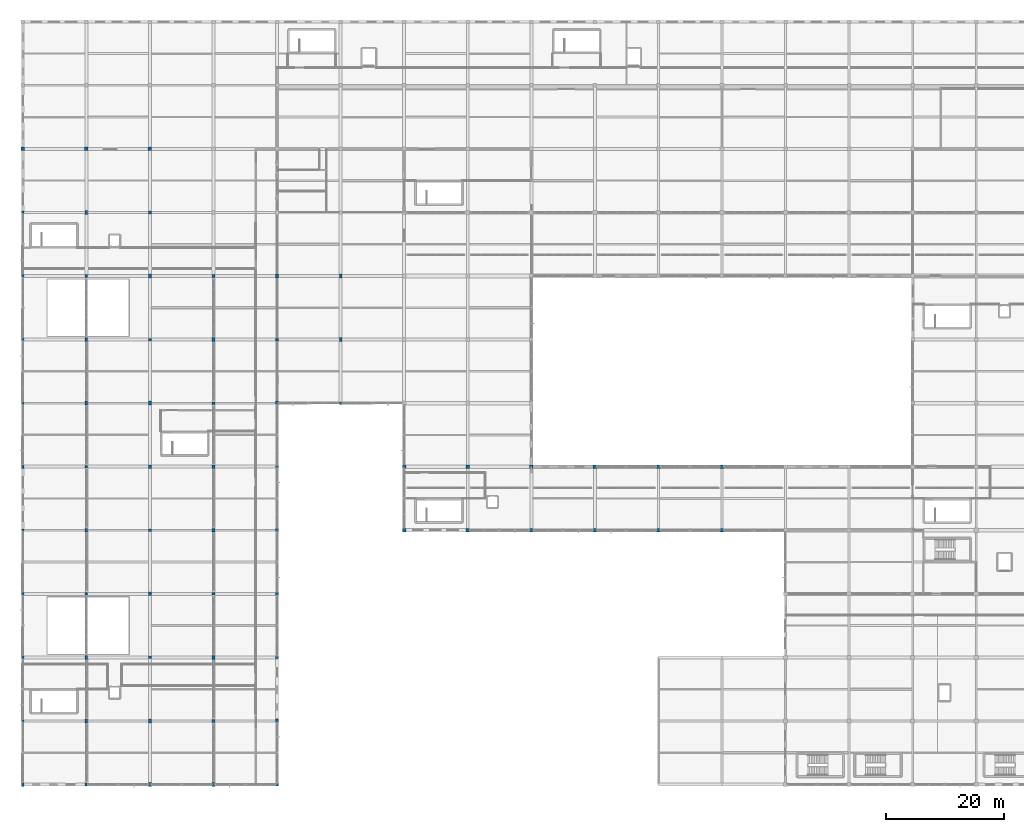
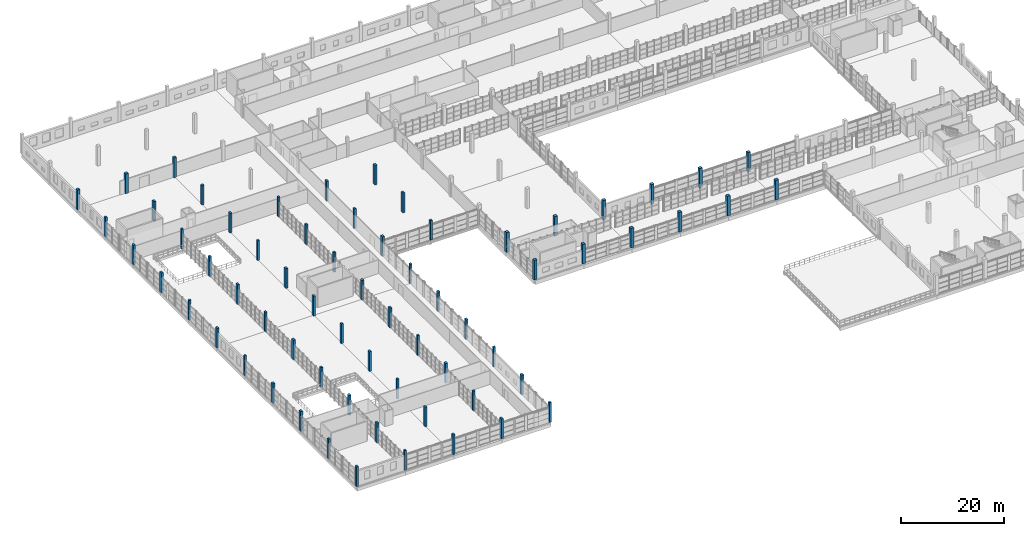
# One storey, part 1 of 142: 66 columns.
"""IFC4 building model written with IfcOpenShell, lengths in metres."""

from ifc_helpers import new_model, si_unit, direction, frame, origin, origin_2d, place, context, subcontext, project, spatial, rectangle, extrude, material, material_profile, profile_set, type_object, element, save


model = new_model("IFC4")

# Units and contexts
model_context = context("Model", 3, precision=1e-05, world=origin(), true_north=direction((0.0, 1.0)))
body_context = subcontext(model_context, "Body", "Model", "MODEL_VIEW")
ifc_project = project(units=[si_unit("LENGTHUNIT", "METRE"), si_unit("AREAUNIT", "SQUARE_METRE"), si_unit("VOLUMEUNIT", "CUBIC_METRE"), si_unit("PLANEANGLEUNIT", "RADIAN"), si_unit("MASSUNIT", "GRAM", prefix="KILO")], contexts=[model_context])

# Site, building, storey
site_placement = place(None, origin())
site = spatial("IfcSite", under=ifc_project, at=site_placement, CompositionType="ELEMENT")
building_placement = place(site_placement, origin())
building = spatial("IfcBuilding", under=site, at=building_placement, Name="Zwinboog Wholesale Market", CompositionType="ELEMENT")
storey_placement = place(building_placement, frame((0.0, 0.0, 5.39990234375)))
storey = spatial("IfcBuildingStorey", under=building, at=storey_placement, Name="L01", CompositionType="ELEMENT", Elevation=5.39990234375)

# Columns
ifc_material = material(Name="Precast concrete C45/55", Category="concrete")
ifc_material_profile_1 = material_profile(ifc_material, rectangle(XDim=0.64990234375, YDim=0.64990234375, at=origin_2d()), Name="PC 650x650")
ifc_profile_set_1 = profile_set([ifc_material_profile_1], Name="Precast concrete C45/55")
column_type_1 = type_object("IfcColumnType", Name="CT-03", PredefinedType="COLUMN", material=ifc_profile_set_1)
for number, where, z_axis, x_axis, name in (
    (1, (64.800048828125, 43.199951171875, 0.0), (0.0, 0.0, 1.0), (1.0, 0.0, 0.0), "C-03 (COL-L01-0150)"),
    (2, (64.800048828125, 54.0, 0.0), (0.0, 0.0, 1.0), (1.0, 0.0, 0.0), "C-03 (COL-L01-0152)"),
    (3, (75.60009765625, 43.199951171875, 0.0), (0.0, 0.0, 1.0), (1.0, 0.0, 0.0), "C-03 (COL-L01-0169)"),
    (4, (75.60009765625, 54.0, 0.0), (0.0, 0.0, 1.0), (1.0, 0.0, 0.0), "C-03 (COL-L01-0171)"),
    (5, (86.39990234375, 43.199951171875, 0.0), (0.0, 0.0, 1.0), (1.0, 0.0, 0.0), "C-03 (COL-L01-0188)"),
    (6, (86.39990234375, 54.0, 0.0), (0.0, 0.0, 1.0), (1.0, 0.0, 0.0), "C-03 (COL-L01-0190)"),
    (7, (97.199951171875, 43.199951171875, 0.0), (0.0, 0.0, 1.0), (1.0, 0.0, 0.0), "C-03 (COL-L01-0207)"),
    (8, (97.199951171875, 54.0, 0.0), (0.0, 0.0, 1.0), (1.0, 0.0, 0.0), "C-03 (COL-L01-0209)"),
    (9, (108.0, 43.199951171875, 0.0), (0.0, 0.0, 1.0), (1.0, 0.0, 0.0), "C-03 (COL-L01-0227)"),
    (10, (108.0, 54.0, 0.0), (0.0, 0.0, 1.0), (1.0, 0.0, 0.0), "C-03 (COL-L01-0229)"),
    (11, (118.800048828125, 43.199951171875, 0.0), (0.0, 0.0, 1.0), (1.0, 0.0, 0.0), "C-03 (COL-L01-0246)"),
    (12, (118.800048828125, 54.0, 0.0), (0.0, 0.0, 1.0), (1.0, 0.0, 0.0), "C-03 (COL-L01-0248)"),
):
    element("IfcColumn", number, at=place(storey_placement, frame(where, z_axis=z_axis, x_axis=x_axis)), inside=storey, type_object=column_type_1, Name=name, PredefinedType="COLUMN", context=body_context, shape_type="SweptSolid", body=[
        extrude(rectangle(XDim=0.64990234375, YDim=0.64990234375, at=origin_2d()), origin(), (0.0, 0.0, 1.0), 4.68017578125),
    ])
ifc_material_profile_2 = material_profile(ifc_material, rectangle(XDim=0.60009765625, YDim=0.60009765625, at=origin_2d()), Name="PC 600x600")
ifc_profile_set_2 = profile_set([ifc_material_profile_2], Name="Precast concrete C45/55")
column_type_2 = type_object("IfcColumnType", Name="CT-04", PredefinedType="COLUMN", material=ifc_profile_set_2)
for number, where, z_axis, x_axis, name in (
    (13, (0.0, 108.0, 0.0), (0.0, 0.0, 1.0), (1.0, 0.0, 0.0), "C-04 (COL-L01-0022)"),
    (14, (10.800048828125, 108.0, 0.0), (0.0, 0.0, 1.0), (1.0, 0.0, 0.0), "C-04 (COL-L01-0048)"),
    (15, (21.60009765625, 108.0, 0.0), (0.0, 0.0, 1.0), (1.0, 0.0, 0.0), "C-04 (COL-L01-0074)"),
):
    element("IfcColumn", number, at=place(storey_placement, frame(where, z_axis=z_axis, x_axis=x_axis)), inside=storey, type_object=column_type_2, Name=name, PredefinedType="COLUMN", context=body_context, shape_type="SweptSolid", body=[
        extrude(rectangle(XDim=0.60009765625, YDim=0.60009765625, at=origin_2d()), origin(), (0.0, 0.0, 1.0), 4.68017578125),
    ])
ifc_material_profile_3 = material_profile(ifc_material, rectangle(XDim=0.449951171875, YDim=0.64990234375, at=origin_2d()), Name="PC 450x650")
ifc_profile_set_3 = profile_set([ifc_material_profile_3], Name="Precast concrete C45/55")
column_type_3 = type_object("IfcColumnType", Name="CT-07", PredefinedType="COLUMN", material=ifc_profile_set_3)
for number, where, z_axis, x_axis, name in (
    (16, (0.0, 0.0, 0.0), (0.0, 0.0, 1.0), (1.0, 0.0, 0.0), "C-07 (COL-L01-0002)"),
    (17, (0.0, 21.60009765625, 0.0), (0.0, 0.0, 1.0), (1.0, 0.0, 0.0), "C-07 (COL-L01-0006)"),
    (18, (0.0, 32.39990234375, 0.0), (0.0, 0.0, 1.0), (1.0, 0.0, 0.0), "C-07 (COL-L01-0008)"),
    (19, (0.0, 54.0, 0.0), (0.0, 0.0, 1.0), (1.0, 0.0, 0.0), "C-07 (COL-L01-0012)"),
    (20, (0.0, 75.60009765625, 0.0), (0.0, 0.0, 1.0), (1.0, 0.0, 0.0), "C-07 (COL-L01-0016)"),
    (21, (0.0, 86.39990234375, 0.0), (0.0, 0.0, 1.0), (1.0, 0.0, 0.0), "C-07 (COL-L01-0018)"),
    (22, (10.800048828125, 10.800048828125, 0.0), (0.0, 0.0, 1.0), (1.0, 0.0, 0.0), "C-07 (COL-L01-0030)"),
    (23, (10.800048828125, 21.60009765625, 0.0), (0.0, 0.0, 1.0), (1.0, 0.0, 0.0), "C-07 (COL-L01-0032)"),
    (24, (10.800048828125, 43.199951171875, 0.0), (0.0, 0.0, 1.0), (1.0, 0.0, 0.0), "C-07 (COL-L01-0036)"),
    (25, (10.800048828125, 64.800048828125, 0.0), (0.0, 0.0, 1.0), (1.0, 0.0, 0.0), "C-07 (COL-L01-0040)"),
    (26, (10.800048828125, 75.60009765625, 0.0), (0.0, 0.0, 1.0), (1.0, 0.0, 0.0), "C-07 (COL-L01-0042)"),
    (27, (10.800048828125, 97.199951171875, 0.0), (0.0, 0.0, 1.0), (1.0, 0.0, 0.0), "C-07 (COL-L01-0046)"),
    (28, (21.60009765625, 0.0, 0.0), (0.0, 0.0, 1.0), (1.0, 0.0, 0.0), "C-07 (COL-L01-0054)"),
    (29, (21.60009765625, 10.800048828125, 0.0), (0.0, 0.0, 1.0), (1.0, 0.0, 0.0), "C-07 (COL-L01-0056)"),
    (30, (21.60009765625, 32.39990234375, 0.0), (0.0, 0.0, 1.0), (1.0, 0.0, 0.0), "C-07 (COL-L01-0060)"),
    (31, (21.60009765625, 54.0, 0.0), (0.0, 0.0, 1.0), (1.0, 0.0, 0.0), "C-07 (COL-L01-0064)"),
    (32, (21.60009765625, 64.800048828125, 0.0), (0.0, 0.0, 1.0), (1.0, 0.0, 0.0), "C-07 (COL-L01-0066)"),
    (33, (21.60009765625, 86.39990234375, 0.0), (0.0, 0.0, 1.0), (1.0, 0.0, 0.0), "C-07 (COL-L01-0070)"),
    (34, (32.39990234375, 0.0, 0.0), (0.0, 0.0, 1.0), (1.0, 0.0, 0.0), "C-07 (COL-L01-0080)"),
    (35, (32.39990234375, 21.60009765625, 0.0), (0.0, 0.0, 1.0), (1.0, 0.0, 0.0), "C-07 (COL-L01-0084)"),
    (36, (32.39990234375, 43.199951171875, 0.0), (0.0, 0.0, 1.0), (1.0, 0.0, 0.0), "C-07 (COL-L01-0088)"),
    (37, (32.39990234375, 54.0, 0.0), (0.0, 0.0, 1.0), (1.0, 0.0, 0.0), "C-07 (COL-L01-0090)"),
    (38, (32.39990234375, 75.60009765625, 0.0), (0.0, 0.0, 1.0), (1.0, 0.0, 0.0), "C-07 (COL-L01-0094)"),
    (39, (43.199951171875, 10.800048828125, 0.0), (0.0, 0.0, 1.0), (1.0, 0.0, 0.0), "C-07 (COL-L01-0108)"),
    (40, (43.199951171875, 32.39990234375, 0.0), (0.0, 0.0, 1.0), (1.0, 0.0, 0.0), "C-07 (COL-L01-0112)"),
    (41, (43.199951171875, 43.199951171875, 0.0), (0.0, 0.0, 1.0), (1.0, 0.0, 0.0), "C-07 (COL-L01-0114)"),
    (42, (43.199951171875, 64.800048828125, 0.0), (0.0, 0.0, 1.0), (1.0, 0.0, 0.0), "C-07 (COL-L01-0118)"),
    (43, (43.199951171875, 86.39990234375, 0.0), (0.0, 0.0, 1.0), (1.0, 0.0, 0.0), "C-07 (COL-L01-0122)"),
    (44, (54.0, 75.60009765625, 0.0), (0.0, 0.0, 1.0), (1.0, 0.0, 0.0), "C-07 (COL-L01-0137)"),
    (45, (54.0, 86.39990234375, 0.0), (0.0, 0.0, 1.0), (1.0, 0.0, 0.0), "C-07 (COL-L01-0139)"),
):
    element("IfcColumn", number, at=place(storey_placement, frame(where, z_axis=z_axis, x_axis=x_axis)), inside=storey, type_object=column_type_3, Name=name, PredefinedType="COLUMN", context=body_context, shape_type="SweptSolid", body=[
        extrude(rectangle(XDim=0.449951171875, YDim=0.64990234375, at=origin_2d()), origin(), (0.0, 0.0, 1.0), 4.68017578125),
    ])
ifc_material_profile_4 = material_profile(ifc_material, rectangle(XDim=0.449951171875, YDim=0.449951171875, at=origin_2d()), Name="PC 450x450")
ifc_profile_set_4 = profile_set([ifc_material_profile_4], Name="Precast concrete C45/55")
column_type_4 = type_object("IfcColumnType", Name="CT-08", PredefinedType="COLUMN", material=ifc_profile_set_4)
for number, where, z_axis, x_axis, name in (
    (46, (0.0, 10.800048828125, 0.0), (0.0, 0.0, 1.0), (1.0, 0.0, 0.0), "C-08 (COL-L01-0004)"),
    (47, (0.0, 43.199951171875, 0.0), (0.0, 0.0, 1.0), (1.0, 0.0, 0.0), "C-08 (COL-L01-0010)"),
    (48, (0.0, 64.800048828125, 0.0), (0.0, 0.0, 1.0), (1.0, 0.0, 0.0), "C-08 (COL-L01-0014)"),
    (49, (0.0, 97.199951171875, 0.0), (0.0, 0.0, 1.0), (1.0, 0.0, 0.0), "C-08 (COL-L01-0020)"),
    (50, (10.800048828125, 0.0, 0.0), (0.0, 0.0, 1.0), (1.0, 0.0, 0.0), "C-08 (COL-L01-0028)"),
    (51, (10.800048828125, 32.39990234375, 0.0), (0.0, 0.0, 1.0), (1.0, 0.0, 0.0), "C-08 (COL-L01-0034)"),
    (52, (10.800048828125, 54.0, 0.0), (0.0, 0.0, 1.0), (1.0, 0.0, 0.0), "C-08 (COL-L01-0038)"),
    (53, (10.800048828125, 86.39990234375, 0.0), (0.0, 0.0, 1.0), (1.0, 0.0, 0.0), "C-08 (COL-L01-0044)"),
    (54, (21.60009765625, 21.60009765625, 0.0), (0.0, 0.0, 1.0), (1.0, 0.0, 0.0), "C-08 (COL-L01-0058)"),
    (55, (21.60009765625, 43.199951171875, 0.0), (0.0, 0.0, 1.0), (1.0, 0.0, 0.0), "C-08 (COL-L01-0062)"),
    (56, (21.60009765625, 75.60009765625, 0.0), (0.0, 0.0, 1.0), (1.0, 0.0, 0.0), "C-08 (COL-L01-0068)"),
    (57, (21.60009765625, 97.199951171875, 0.0), (0.0, 0.0, 1.0), (1.0, 0.0, 0.0), "C-08 (COL-L01-0072)"),
    (58, (32.39990234375, 10.800048828125, 0.0), (0.0, 0.0, 1.0), (1.0, 0.0, 0.0), "C-08 (COL-L01-0082)"),
    (59, (32.39990234375, 32.39990234375, 0.0), (0.0, 0.0, 1.0), (1.0, 0.0, 0.0), "C-08 (COL-L01-0086)"),
    (60, (32.39990234375, 64.800048828125, 0.0), (0.0, 0.0, 1.0), (1.0, 0.0, 0.0), "C-08 (COL-L01-0092)"),
    (61, (32.39990234375, 86.39990234375, 0.0), (0.0, 0.0, 1.0), (1.0, 0.0, 0.0), "C-08 (COL-L01-0096)"),
    (62, (43.199951171875, 0.0, 0.0), (0.0, 0.0, 1.0), (1.0, 0.0, 0.0), "C-08 (COL-L01-0106)"),
    (63, (43.199951171875, 21.60009765625, 0.0), (0.0, 0.0, 1.0), (1.0, 0.0, 0.0), "C-08 (COL-L01-0110)"),
    (64, (43.199951171875, 54.0, 0.0), (0.0, 0.0, 1.0), (1.0, 0.0, 0.0), "C-08 (COL-L01-0116)"),
    (65, (43.199951171875, 75.60009765625, 0.0), (0.0, 0.0, 1.0), (1.0, 0.0, 0.0), "C-08 (COL-L01-0120)"),
    (66, (54.0, 64.800048828125, 0.0), (0.0, 0.0, 1.0), (1.0, 0.0, 0.0), "C-08 (COL-L01-0135)"),
):
    element("IfcColumn", number, at=place(storey_placement, frame(where, z_axis=z_axis, x_axis=x_axis)), inside=storey, type_object=column_type_4, Name=name, PredefinedType="COLUMN", context=body_context, shape_type="SweptSolid", body=[
        extrude(rectangle(XDim=0.449951171875, YDim=0.449951171875, at=origin_2d()), origin(), (0.0, 0.0, 1.0), 4.68017578125),
    ])

save(model, "model.ifc")
